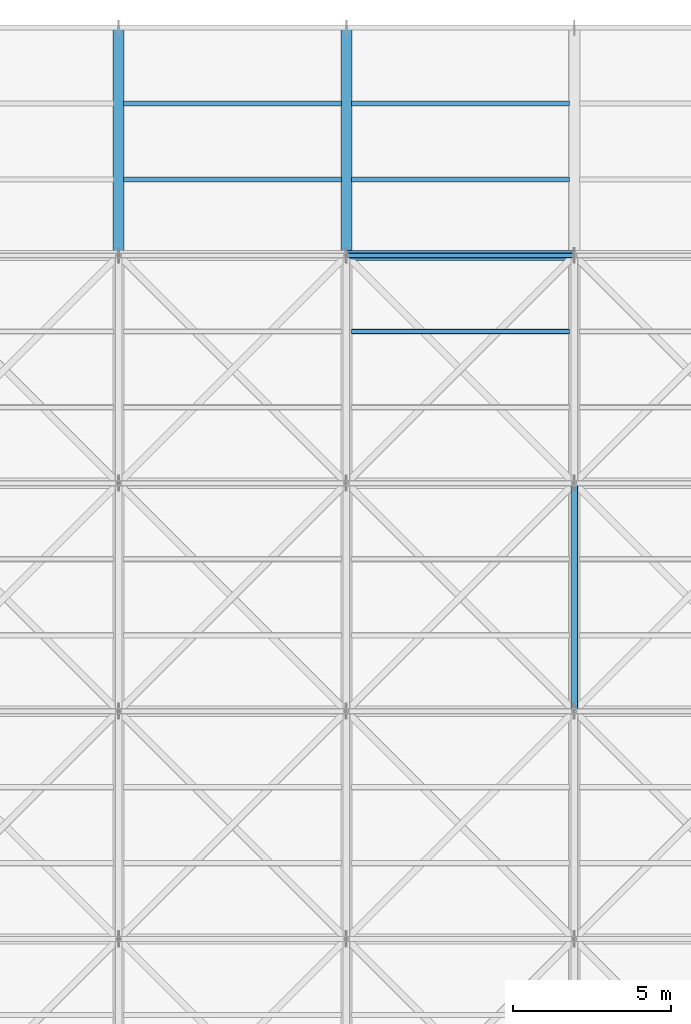
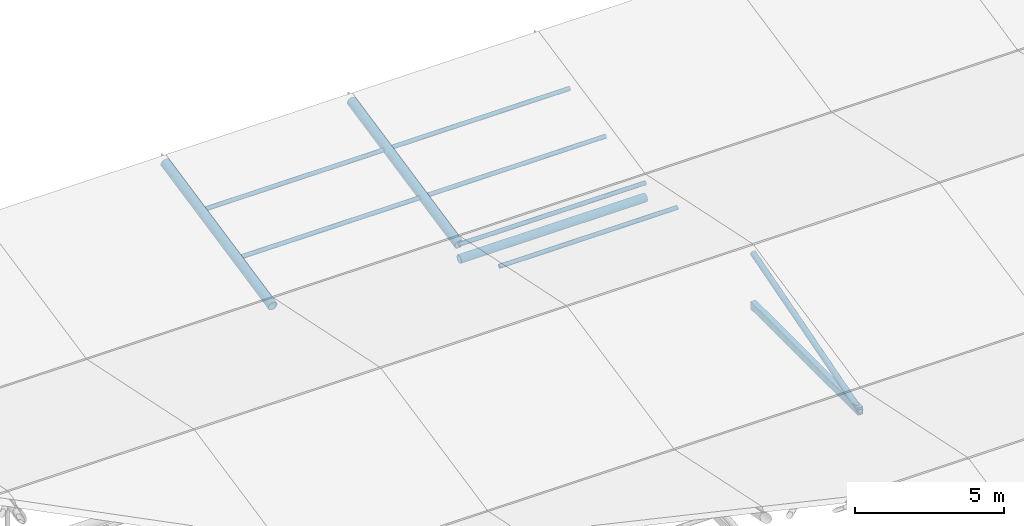
# One storey, part 34 of 72: 8 members, 3 beams.
"""IFC4 building model written with IfcOpenShell, lengths in metres."""

from ifc_helpers import new_model, si_unit, direction, frame, origin, origin_2d, place, context, subcontext, project, spatial, hollow_rectangle, hollow_circle, extrude, material, material_profile, profile_set, type_object, element, save


model = new_model("IFC4")

# Units and contexts
model_context = context("Model", 3, precision=1e-05, world=origin(), true_north=direction((0.0, 1.0)))
body_context = subcontext(model_context, "Body", "Model", "MODEL_VIEW")
ifc_project = project(units=[si_unit("LENGTHUNIT", "METRE"), si_unit("AREAUNIT", "SQUARE_METRE"), si_unit("VOLUMEUNIT", "CUBIC_METRE"), si_unit("PLANEANGLEUNIT", "RADIAN"), si_unit("MASSUNIT", "GRAM", prefix="KILO")], contexts=[model_context])

# Site, building, storey
site_placement = place(None, origin())
site = spatial("IfcSite", under=ifc_project, at=site_placement, CompositionType="ELEMENT")
building_placement = place(site_placement, origin())
building = spatial("IfcBuilding", under=site, at=building_placement, Name="Vaelcorin Mobility Hub", CompositionType="ELEMENT")
storey_placement = place(building_placement, frame((0.0, 0.0, 25.800048828125)))
storey = spatial("IfcBuildingStorey", under=building, at=storey_placement, Name="RF", CompositionType="ELEMENT", Elevation=25.800048828125)

# Members
ifc_material = material(Name="Steel ASTM A500 Grade C", Category="steel")
ifc_material_profile_1 = material_profile(ifc_material, hollow_circle(Radius=0.161865234375, WallThickness=0.0126953125, at=origin_2d()), Name="HSS12.750X0.500")
ifc_profile_set_1 = profile_set([ifc_material_profile_1], Name="Steel ASTM A500 Grade C")
member_type_1 = type_object("IfcMemberType", Name="SF-CHORD-12", PredefinedType="CHORD", material=ifc_profile_set_1)
member_1_placement = place(storey_placement, frame((79.199951171875, 112.800048828125, -2.10009765625), z_axis=(1.0, 0.0, 0.0), x_axis=(0.0, 1.0, 0.0)))
element("IfcMember", 1, at=member_1_placement, inside=storey, type_object=member_type_1, Name="Sports Truss Lower Tie Strut 7-4", PredefinedType="CHORD", context=body_context, shape_type="SweptSolid", body=[
    extrude(hollow_circle(Radius=0.161865234375, WallThickness=0.0126953125, at=origin_2d()), origin(), (0.0, 0.0, 1.0), 7.199951171875),
])
ifc_material_profile_2 = material_profile(ifc_material, hollow_circle(Radius=0.084228515625, WallThickness=0.0078125, at=origin_2d()), Name="HSS6.625X0.312")
ifc_profile_set_2 = profile_set([ifc_material_profile_2], Name="Steel ASTM A500 Grade C")
member_type_2 = type_object("IfcMemberType", Name="SF-PURL-6", PredefinedType="PURLIN", material=ifc_profile_set_2)
for number, where, z_axis, x_axis, name in (
    (2, (72.159912109375, 115.199951171875, -1.0), (1.0, 0.0, 0.0), (0.0, 1.0, 0.0), "Sports Roof Secondary Purlin 6-5-1"),
    (3, (72.159912109375, 117.60009765625, -0.5), (1.0, 0.0, 0.0), (0.0, 1.0, 0.0), "Sports Roof Secondary Purlin 6-5-2"),
):
    element("IfcMember", number, at=place(storey_placement, frame(where, z_axis=z_axis, x_axis=x_axis)), inside=storey, type_object=member_type_2, Name=name, PredefinedType="PURLIN", context=body_context, shape_type="SweptSolid", body=[
        extrude(hollow_circle(Radius=0.084228515625, WallThickness=0.0078125, at=origin_2d()), origin(), (0.0, 0.0, 1.0), 6.880126953125),
    ])
member_2_placement = place(storey_placement, frame((79.199951171875, 112.800048828125, -1.5), z_axis=(1.0, 0.0, 0.0), x_axis=(0.0, 1.0, 0.0)))
element("IfcMember", 4, at=member_2_placement, inside=storey, type_object=member_type_2, Name="Sports Pavilion Roof Purlin 7-4", PredefinedType="PURLIN", context=body_context, shape_type="SweptSolid", body=[
    extrude(hollow_circle(Radius=0.084228515625, WallThickness=0.0078125, at=origin_2d()), origin(), (0.0, 0.0, 1.0), 7.199951171875),
])
for number, where, z_axis, x_axis, name in (
    (5, (79.360107421875, 110.39990234375, -1.0), (1.0, 0.0, 0.0), (0.0, 1.0, 0.0), "Sports Roof Secondary Purlin 7-4-2"),
    (6, (79.360107421875, 115.199951171875, -1.0), (1.0, 0.0, 0.0), (0.0, 1.0, 0.0), "Sports Roof Secondary Purlin 7-5-1"),
    (7, (79.360107421875, 117.60009765625, -0.5), (1.0, 0.0, 0.0), (0.0, 1.0, 0.0), "Sports Roof Secondary Purlin 7-5-2"),
):
    element("IfcMember", number, at=place(storey_placement, frame(where, z_axis=z_axis, x_axis=x_axis)), inside=storey, type_object=member_type_2, Name=name, PredefinedType="PURLIN", context=body_context, shape_type="SweptSolid", body=[
        extrude(hollow_circle(Radius=0.084228515625, WallThickness=0.0078125, at=origin_2d()), origin(), (0.0, 0.0, 1.0), 6.8798828125),
    ])

# Beams
ifc_material_profile_3 = material_profile(ifc_material, hollow_circle(Radius=0.177734375, WallThickness=0.0126953125, at=origin_2d()), Name="HSS14.000X0.500")
ifc_profile_set_3 = profile_set([ifc_material_profile_3], Name="Steel ASTM A500 Grade C")
beam_type_1 = type_object("IfcBeamType", Name="TR-CHORD-14", PredefinedType="BEAM", material=ifc_profile_set_3)
for number, where, z_axis, x_axis, name in (
    (8, (72.0, 112.800048828125, -1.5), (0.0, 0.978980143565, 0.203955579738), (-1.0, 0.0, 0.0), "Sports Pavilion Roof Truss Upper Chord 5-5"),
    (9, (79.199951171875, 112.800048828125, -1.5), (0.0, 0.978980143565, 0.203955579738), (-1.0, 0.0, 0.0), "Sports Pavilion Roof Truss Upper Chord 6-5"),
):
    element("IfcBeam", number, at=place(storey_placement, frame(where, z_axis=z_axis, x_axis=x_axis)), inside=storey, type_object=beam_type_1, Name=name, PredefinedType="BEAM", context=body_context, shape_type="SweptSolid", body=[
        extrude(hollow_circle(Radius=0.177734375, WallThickness=0.0126953125, at=origin_2d()), origin(), (0.0, 0.0, 1.0), 7.3544921875),
    ])
ifc_material_profile_4 = material_profile(ifc_material, hollow_rectangle(XDim=0.203125, YDim=0.3046875, WallThickness=0.01171875, at=origin_2d()), Name="HSS12X8X0.500")
ifc_profile_set_4 = profile_set([ifc_material_profile_4], Name="Steel ASTM A500 Grade C")
beam_type_2 = type_object("IfcBeamType", Name="TR-CHORD-RHS12", PredefinedType="BEAM", material=ifc_profile_set_4)
beam_placement = place(storey_placement, frame((86.39990234375, 98.39990234375, -2.10009765625), z_axis=(0.0, 1.0, 0.0), x_axis=(-1.0, 0.0, 0.0)))
element("IfcBeam", 10, at=beam_placement, inside=storey, type_object=beam_type_2, Name="Sports Pavilion Roof Truss Bottom Chord 7-3", PredefinedType="BEAM", context=body_context, shape_type="SweptSolid", body=[
    extrude(hollow_rectangle(XDim=0.203125, YDim=0.3046875, WallThickness=0.01171875, at=origin_2d()), origin(), (0.0, 0.0, 1.0), 7.2001953125),
])

# Member
ifc_material_profile_5 = material_profile(ifc_material, hollow_circle(Radius=0.109619140625, WallThickness=0.009521484375, at=origin_2d()), Name="HSS8.625X0.375")
ifc_profile_set_5 = profile_set([ifc_material_profile_5], Name="Steel ASTM A500 Grade C")
member_type_3 = type_object("IfcMemberType", Name="TR-WEB-8", PredefinedType="BRACE", material=ifc_profile_set_5)
member_3_placement = place(storey_placement, frame((86.39990234375, 98.39990234375, -2.10009765625), z_axis=(0.0, 0.959998541695, 0.280004999853), x_axis=(-1.0, 0.0, 0.0)))
element("IfcMember", 11, at=member_3_placement, inside=storey, type_object=member_type_3, Name="Sports Pavilion Roof Truss Diagonal 7-3", PredefinedType="BRACE", context=body_context, shape_type="SweptSolid", body=[
    extrude(hollow_circle(Radius=0.109619140625, WallThickness=0.009521484375, at=origin_2d()), origin(), (0.0, 0.0, 1.0), 7.500244140625),
])

save(model, "model.ifc")
